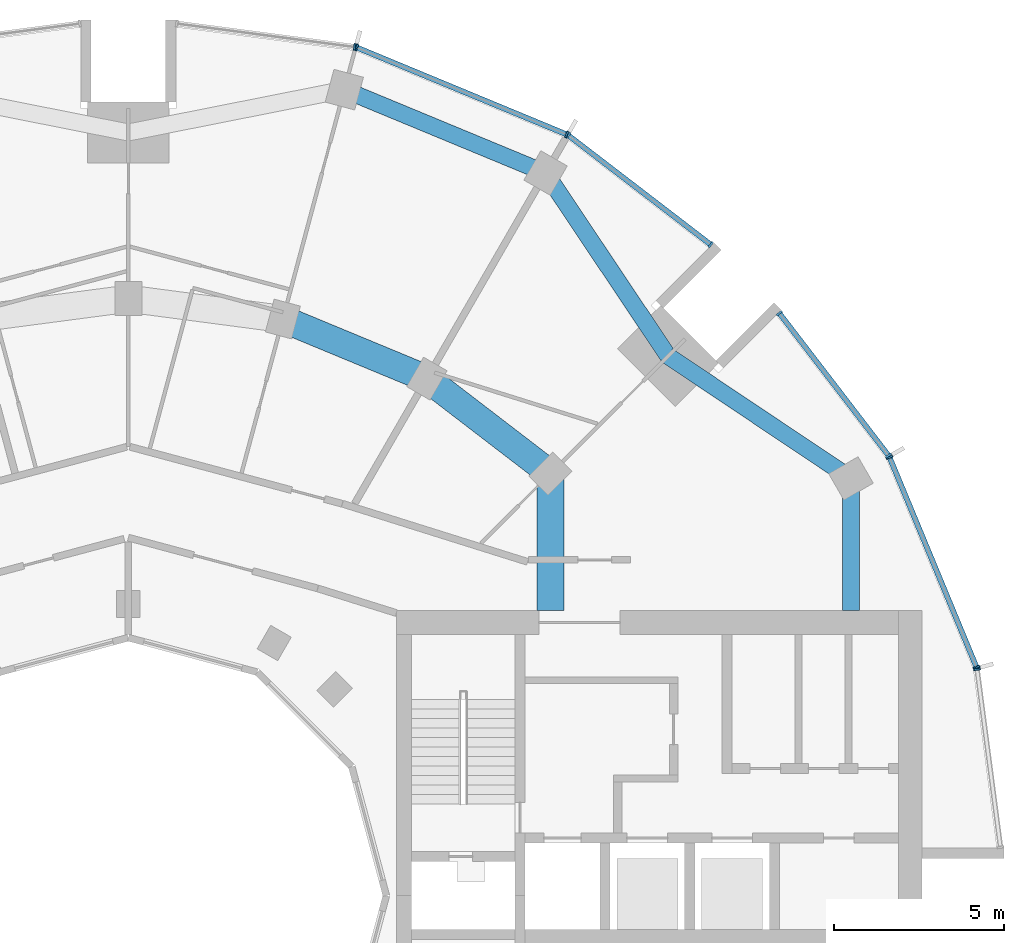
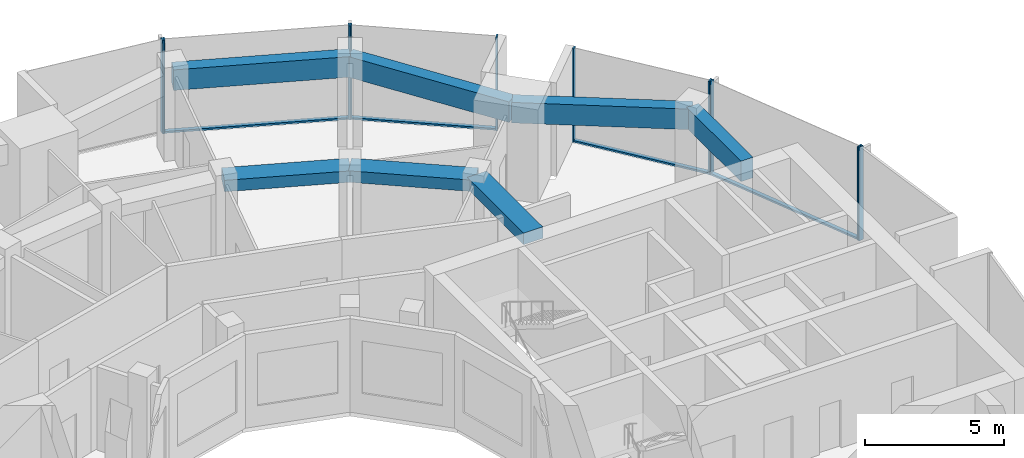
# One storey, part 6 of 15: 14 members, 7 beams, 6 elements without a shape of their own.
"""IFC4 building model written with IfcOpenShell, lengths in metres."""

from ifc_helpers import new_model, si_unit, direction, frame, origin, origin_2d, place, context, subcontext, project, spatial, rectangle, extrude, material, layer, layer_set, material_profile, profile_set, type_object, element, aggregate, save


model = new_model("IFC4")

# Units and contexts
model_context = context("Model", 3, precision=1e-05, world=origin(), true_north=direction((0.0, 1.0)))
body_context = subcontext(model_context, "Body", "Model", "MODEL_VIEW")
ifc_project = project(units=[si_unit("LENGTHUNIT", "METRE"), si_unit("AREAUNIT", "SQUARE_METRE"), si_unit("VOLUMEUNIT", "CUBIC_METRE"), si_unit("PLANEANGLEUNIT", "RADIAN"), si_unit("MASSUNIT", "GRAM", prefix="KILO")], contexts=[model_context])

# Site, building, storey
site_placement = place(None, origin())
site = spatial("IfcSite", under=ifc_project, at=site_placement, CompositionType="ELEMENT")
building_placement = place(site_placement, origin())
building = spatial("IfcBuilding", under=site, at=building_placement, Name="Torre Brocal", CompositionType="ELEMENT")
storey_placement = place(building_placement, frame((0.0, 0.0, 198.699951171875)))
storey = spatial("IfcBuildingStorey", under=building, at=storey_placement, Name="L46", CompositionType="ELEMENT", Elevation=198.699951171875)

# Curtain wall, members
ifc_material_1 = material(Name="Aluminium and glass", Category="aluminium")
ifc_layer_1 = layer(ifc_material_1, 0.199951171875)
ifc_layer_set_1 = layer_set([ifc_layer_1], Name="Aluminium and glass")
curtain_wall_type_1 = type_object("IfcCurtainWallType", Name="CW-1 CURTAIN WALL 4100 HIGH", PredefinedType="NOTDEFINED", material=ifc_layer_set_1)
curtain_wall_1_placement = place(storey_placement, origin())
curtain_wall_1 = element("IfcCurtainWall", 1, at=curtain_wall_1_placement, inside=storey, type_object=curtain_wall_type_1, Name="CW-1 RUN 2", PredefinedType="NOTDEFINED")
ifc_material_2 = material(Name="Aluminium, dark anodised", Category="aluminium")
ifc_material_profile_1 = material_profile(ifc_material_2, rectangle(XDim=0.199951171875, YDim=0.06005859375, at=origin_2d()), Name="CW-1 MULLION 60X200")
ifc_profile_set_1 = profile_set([ifc_material_profile_1], Name="Aluminium, dark anodised")
member_type_1 = type_object("IfcMemberType", Name="CW-1 MULLION 60X200", PredefinedType="MULLION", material=ifc_profile_set_1)
member_1_placement = place(storey_placement, frame((105.005126953125, 81.73095703125, 0.0), z_axis=(0.0, 0.0, 1.0), x_axis=(-0.923879532525, -0.382683432333, 0.0)))
member_1 = element("IfcMember", 2, at=member_1_placement, type_object=member_type_1, Name="CW1-4 mullion 1", PredefinedType="MULLION", context=body_context, shape_type="SweptSolid", body=[
    extrude(rectangle(XDim=0.199951171875, YDim=0.06005859375, at=origin_2d()), origin(), (0.0, 0.0, 1.0), 4.10009765625),
])
member_2_placement = place(storey_placement, frame((102.440673828125, 87.921875, 0.0), z_axis=(0.0, 0.0, 1.0), x_axis=(-0.923879532525, -0.382683432333, 0.0)))
member_2 = element("IfcMember", 3, at=member_2_placement, type_object=member_type_1, Name="CW1-4 mullion 2", PredefinedType="MULLION", context=body_context, shape_type="SweptSolid", body=[
    extrude(rectangle(XDim=0.199951171875, YDim=0.06005859375, at=origin_2d()), origin(), (0.0, 0.0, 1.0), 4.10009765625),
])

curtain_wall_2_placement = place(storey_placement, origin())
curtain_wall_2 = element("IfcCurtainWall", 4, at=curtain_wall_2_placement, inside=storey, type_object=curtain_wall_type_1, Name="CW-1 RUN 3", PredefinedType="NOTDEFINED")
member_3_placement = place(storey_placement, frame((102.4111328125, 87.973388671875, 0.0), z_axis=(0.0, 0.0, 1.0), x_axis=(-0.793353340259, -0.60876142905, 0.0)))
member_3 = element("IfcMember", 5, at=member_3_placement, type_object=member_type_1, Name="CW1-4 mullion 1", PredefinedType="MULLION", context=body_context, shape_type="SweptSolid", body=[
    extrude(rectangle(XDim=0.199951171875, YDim=0.06005859375, at=origin_2d()), origin(), (0.0, 0.0, 1.0), 4.10009765625),
])
member_4_placement = place(storey_placement, frame((99.19140625, 92.16943359375, 0.0), z_axis=(0.0, 0.0, 1.0), x_axis=(-0.793353340259, -0.60876142905, 0.0)))
member_4 = element("IfcMember", 6, at=member_4_placement, type_object=member_type_1, Name="CW1-4 mullion 2", PredefinedType="MULLION", context=body_context, shape_type="SweptSolid", body=[
    extrude(rectangle(XDim=0.199951171875, YDim=0.06005859375, at=origin_2d()), origin(), (0.0, 0.0, 1.0), 4.10009765625),
])

curtain_wall_3_placement = place(storey_placement, origin())
curtain_wall_3 = element("IfcCurtainWall", 7, at=curtain_wall_3_placement, inside=storey, type_object=curtain_wall_type_1, Name="CW-1 RUN 4", PredefinedType="NOTDEFINED")
member_5_placement = place(storey_placement, frame((97.16943359375, 94.19140625, 0.0), z_axis=(0.0, 0.0, 1.0), x_axis=(-0.60876142905, -0.793353340259, 0.0)))
member_5 = element("IfcMember", 8, at=member_5_placement, type_object=member_type_1, Name="CW1-4 mullion 1", PredefinedType="MULLION", context=body_context, shape_type="SweptSolid", body=[
    extrude(rectangle(XDim=0.199951171875, YDim=0.06005859375, at=origin_2d()), origin(), (0.0, 0.0, 1.0), 4.10009765625),
])
member_6_placement = place(storey_placement, frame((92.973388671875, 97.4111328125, 0.0), z_axis=(0.0, 0.0, 1.0), x_axis=(-0.60876142905, -0.793353340259, 0.0)))
member_6 = element("IfcMember", 9, at=member_6_placement, type_object=member_type_1, Name="CW1-4 mullion 2", PredefinedType="MULLION", context=body_context, shape_type="SweptSolid", body=[
    extrude(rectangle(XDim=0.199951171875, YDim=0.06005859375, at=origin_2d()), origin(), (0.0, 0.0, 1.0), 4.10009765625),
])

curtain_wall_4_placement = place(storey_placement, origin())
curtain_wall_4 = element("IfcCurtainWall", 10, at=curtain_wall_4_placement, inside=storey, type_object=curtain_wall_type_1, Name="CW-1 RUN 5", PredefinedType="NOTDEFINED")
member_7_placement = place(storey_placement, frame((92.921875, 97.440673828125, 0.0), z_axis=(0.0, 0.0, 1.0), x_axis=(-0.382683432333, -0.923879532525, 0.0)))
member_7 = element("IfcMember", 11, at=member_7_placement, type_object=member_type_1, Name="CW1-4 mullion 1", PredefinedType="MULLION", context=body_context, shape_type="SweptSolid", body=[
    extrude(rectangle(XDim=0.199951171875, YDim=0.06005859375, at=origin_2d()), origin(), (0.0, 0.0, 1.0), 4.10009765625),
])
member_8_placement = place(storey_placement, frame((86.73095703125, 100.005126953125, 0.0), z_axis=(0.0, 0.0, 1.0), x_axis=(-0.382683432333, -0.923879532525, 0.0)))
member_8 = element("IfcMember", 12, at=member_8_placement, type_object=member_type_1, Name="CW1-4 mullion 2", PredefinedType="MULLION", context=body_context, shape_type="SweptSolid", body=[
    extrude(rectangle(XDim=0.199951171875, YDim=0.06005859375, at=origin_2d()), origin(), (0.0, 0.0, 1.0), 4.10009765625),
])

# Curtain wall, member
curtain_wall_5_placement = place(storey_placement, origin())
curtain_wall_5 = element("IfcCurtainWall", 13, at=curtain_wall_5_placement, inside=storey, type_object=curtain_wall_type_1, Name="CW-1 RUN 6", PredefinedType="NOTDEFINED")
member_9_placement = place(storey_placement, frame((86.67333984375, 100.0205078125, 0.0), z_axis=(0.0, 0.0, 1.0), x_axis=(-0.13052619222, -0.991444861374, 0.0)))
member_9 = element("IfcMember", 14, at=member_9_placement, type_object=member_type_1, Name="CW1-4 mullion 1", PredefinedType="MULLION", context=body_context, shape_type="SweptSolid", body=[
    extrude(rectangle(XDim=0.199951171875, YDim=0.06005859375, at=origin_2d()), origin(), (0.0, 0.0, 1.0), 4.10009765625),
])
aggregate(curtain_wall_5, [member_9])

# Member
ifc_material_3 = material(Name="Aluminium, dark anodised", Category="aluminium")
ifc_material_profile_2 = material_profile(ifc_material_3, rectangle(XDim=0.159912109375, YDim=0.080078125, at=origin_2d()), Name="CW-1 TRANSOM 160X80")
ifc_profile_set_2 = profile_set([ifc_material_profile_2], Name="Aluminium, dark anodised")
member_type_2 = type_object("IfcMemberType", Name="CW-1 TRANSOM 160X80", PredefinedType="USERDEFINED", material=ifc_profile_set_2)
member_10_placement = place(storey_placement, frame((104.99365234375, 81.758544921875, 0.0400390625), z_axis=(-0.38266457234, 0.923887344364, 0.0), x_axis=(-0.923887344364, -0.38266457234, 0.0)))
member_10 = element("IfcMember", 15, at=member_10_placement, type_object=member_type_2, Name="CW1-4 transom 1.1", ObjectType="TRANSOM", PredefinedType="USERDEFINED", context=body_context, shape_type="SweptSolid", body=[
    extrude(rectangle(XDim=0.159912109375, YDim=0.080078125, at=origin_2d()), origin(), (0.0, 0.0, 1.0), 6.640869140625),
])

aggregate(curtain_wall_1, [member_1, member_2, member_10])

member_11_placement = place(storey_placement, frame((102.392822265625, 87.9970703125, 0.0400390625), z_axis=(-0.60874908096, 0.79336281513, 0.0), x_axis=(-0.79336281513, -0.60874908096, 0.0)))
member_11 = element("IfcMember", 16, at=member_11_placement, type_object=member_type_2, Name="CW1-4 transom 1.1", ObjectType="TRANSOM", PredefinedType="USERDEFINED", context=body_context, shape_type="SweptSolid", body=[
    extrude(rectangle(XDim=0.159912109375, YDim=0.080078125, at=origin_2d()), origin(), (0.0, 0.0, 1.0), 5.22900390625),
])

aggregate(curtain_wall_2, [member_3, member_4, member_11])

member_12_placement = place(storey_placement, frame((97.1455078125, 94.209716796875, 0.0400390625), z_axis=(-0.79336281513, 0.60874908096, 0.0), x_axis=(-0.60874908096, -0.79336281513, 0.0)))
member_12 = element("IfcMember", 17, at=member_12_placement, type_object=member_type_2, Name="CW1-4 transom 1.1", ObjectType="TRANSOM", PredefinedType="USERDEFINED", context=body_context, shape_type="SweptSolid", body=[
    extrude(rectangle(XDim=0.159912109375, YDim=0.080078125, at=origin_2d()), origin(), (0.0, 0.0, 1.0), 5.22900390625),
])

aggregate(curtain_wall_3, [member_5, member_6, member_12])

member_13_placement = place(storey_placement, frame((92.89404296875, 97.452392578125, 0.0400390625), z_axis=(-0.923887344364, 0.38266457234, 0.0), x_axis=(-0.38266457234, -0.923887344364, 0.0)))
member_13 = element("IfcMember", 18, at=member_13_placement, type_object=member_type_2, Name="CW1-4 transom 1.1", ObjectType="TRANSOM", PredefinedType="USERDEFINED", context=body_context, shape_type="SweptSolid", body=[
    extrude(rectangle(XDim=0.159912109375, YDim=0.080078125, at=origin_2d()), origin(), (0.0, 0.0, 1.0), 6.640869140625),
])

aggregate(curtain_wall_4, [member_7, member_8, member_13])

# Curtain wall, member
ifc_material_4 = material(Name="Aluminium and glass", Category="aluminium")
ifc_layer_2 = layer(ifc_material_4, 0.199951171875)
ifc_layer_set_2 = layer_set([ifc_layer_2], Name="Aluminium and glass")
curtain_wall_type_2 = type_object("IfcCurtainWallType", Name="CW-1B CURTAIN WALL 4100 HIGH", PredefinedType="NOTDEFINED", material=ifc_layer_set_2)
curtain_wall_6_placement = place(storey_placement, origin())
curtain_wall_6 = element("IfcCurtainWall", 19, at=curtain_wall_6_placement, inside=storey, type_object=curtain_wall_type_2, Name="CW-1B RUN 1", PredefinedType="NOTDEFINED")
ifc_material_5 = material(Name="Aluminium, dark anodised", Category="aluminium")
ifc_material_profile_3 = material_profile(ifc_material_5, rectangle(XDim=0.199951171875, YDim=0.06005859375, at=origin_2d()), Name="CW-1B MULLION 60X200")
ifc_profile_set_3 = profile_set([ifc_material_profile_3], Name="Aluminium, dark anodised")
member_type_3 = type_object("IfcMemberType", Name="CW-1B MULLION 60X200", PredefinedType="MULLION", material=ifc_profile_set_3)
member_14_placement = place(storey_placement, frame((105.0205078125, 81.67333984375, 0.0), z_axis=(0.0, 0.0, 1.0), x_axis=(-0.991444861374, -0.13052619222, 0.0)))
member_14 = element("IfcMember", 20, at=member_14_placement, type_object=member_type_3, Name="CW1B-4 mullion 2", PredefinedType="MULLION", context=body_context, shape_type="SweptSolid", body=[
    extrude(rectangle(XDim=0.199951171875, YDim=0.06005859375, at=origin_2d()), origin(), (0.0, 0.0, 1.0), 4.10009765625),
])
aggregate(curtain_wall_6, [member_14])

# Beams
ifc_material_6 = material(Name="Concrete C50", Category="concrete")
ifc_material_profile_4 = material_profile(ifc_material_6, rectangle(XDim=0.800048828125, YDim=0.5, at=origin_2d()), Name="RC 800X500")
ifc_profile_set_4 = profile_set([ifc_material_profile_4], Name="Concrete C50")
beam_type_1 = type_object("IfcBeamType", Name="RC BEAM 800X500 C50 TOP 3780", PredefinedType="BEAM", material=ifc_profile_set_4)
beam_1_placement = place(storey_placement, frame((92.445068359375, 87.445068359375, 3.530029296875), z_axis=(-0.793358265959, 0.6087550097, 0.0), x_axis=(-0.6087550097, -0.793358265959, 0.0)))
element("IfcBeam", 21, at=beam_1_placement, inside=storey, type_object=beam_type_1, Name="Beam BT-32", PredefinedType="BEAM", context=body_context, shape_type="SweptSolid", body=[
    extrude(rectangle(XDim=0.800048828125, YDim=0.5, at=origin_2d()), origin(), (0.0, 0.0, 1.0), 4.594482421875),
])
beam_2_placement = place(storey_placement, frame((88.800048828125, 90.241943359375, 3.530029296875), z_axis=(-0.923878240166, 0.382686552348, 0.0), x_axis=(-0.382686552348, -0.923878240166, 0.0)))
element("IfcBeam", 22, at=beam_2_placement, inside=storey, type_object=beam_type_1, Name="Beam BT-32", PredefinedType="BEAM", context=body_context, shape_type="SweptSolid", body=[
    extrude(rectangle(XDim=0.800048828125, YDim=0.5, at=origin_2d()), origin(), (0.0, 0.0, 1.0), 4.5947265625),
])
beam_3_placement = place(storey_placement, frame((92.445068359375, 87.445068359375, 3.530029296875), z_axis=(0.0, -1.0, 0.0), x_axis=(1.0, 0.0, 0.0)))
element("IfcBeam", 23, at=beam_3_placement, inside=storey, type_object=beam_type_1, Name="Beam BT-32", PredefinedType="BEAM", context=body_context, shape_type="SweptSolid", body=[
    extrude(rectangle(XDim=0.800048828125, YDim=0.5, at=origin_2d()), origin(), (0.0, 0.0, 1.0), 4.045166015625),
])
ifc_material_7 = material(Name="Concrete C50", Category="concrete")
ifc_material_profile_5 = material_profile(ifc_material_7, rectangle(XDim=0.5, YDim=0.89990234375, at=origin_2d()), Name="RC 500X900")
ifc_profile_set_5 = profile_set([ifc_material_profile_5], Name="Concrete C50")
beam_type_2 = type_object("IfcBeamType", Name="RC SPANDREL BEAM 500X900 C50 TOP 3780", PredefinedType="SPANDREL", material=ifc_profile_set_5)
for number, where, z_axis, x_axis, name in (
    (24, (101.30419921875, 87.300048828125, 3.330078125), (-0.831076844476, 0.556157602282, 0.0), (-0.556157602282, -0.831076844476, 0.0), "Beam BT-33"),
    (25, (95.909912109375, 90.909912109375, 3.330078125), (-0.556157602282, 0.831076844476, 0.0), (-0.831076844476, -0.556157602282, 0.0), "Beam BT-33"),
):
    element("IfcBeam", number, at=place(storey_placement, frame(where, z_axis=z_axis, x_axis=x_axis)), inside=storey, type_object=beam_type_2, Name=name, PredefinedType="SPANDREL", context=body_context, shape_type="SweptSolid", body=[
        extrude(rectangle(XDim=0.5, YDim=0.89990234375, at=origin_2d()), origin(), (0.0, 0.0, 1.0), 6.49072265625),
    ])
beam_4_placement = place(storey_placement, frame((92.300048828125, 96.30419921875, 3.330078125), z_axis=(-0.923882462513, 0.382676358639, 0.0), x_axis=(-0.382676358639, -0.923882462513, 0.0)))
element("IfcBeam", 26, at=beam_4_placement, inside=storey, type_object=beam_type_2, Name="Beam BT-33", PredefinedType="SPANDREL", context=body_context, shape_type="SweptSolid", body=[
    extrude(rectangle(XDim=0.5, YDim=0.89990234375, at=origin_2d()), origin(), (0.0, 0.0, 1.0), 6.421875),
])
beam_5_placement = place(storey_placement, frame((101.30419921875, 87.300048828125, 3.330078125), z_axis=(0.0, -1.0, 0.0), x_axis=(1.0, 0.0, 0.0)))
element("IfcBeam", 27, at=beam_5_placement, inside=storey, type_object=beam_type_2, Name="Beam BT-33", PredefinedType="SPANDREL", context=body_context, shape_type="SweptSolid", body=[
    extrude(rectangle(XDim=0.5, YDim=0.89990234375, at=origin_2d()), origin(), (0.0, 0.0, 1.0), 3.900146484375),
])

save(model, "model.ifc")
